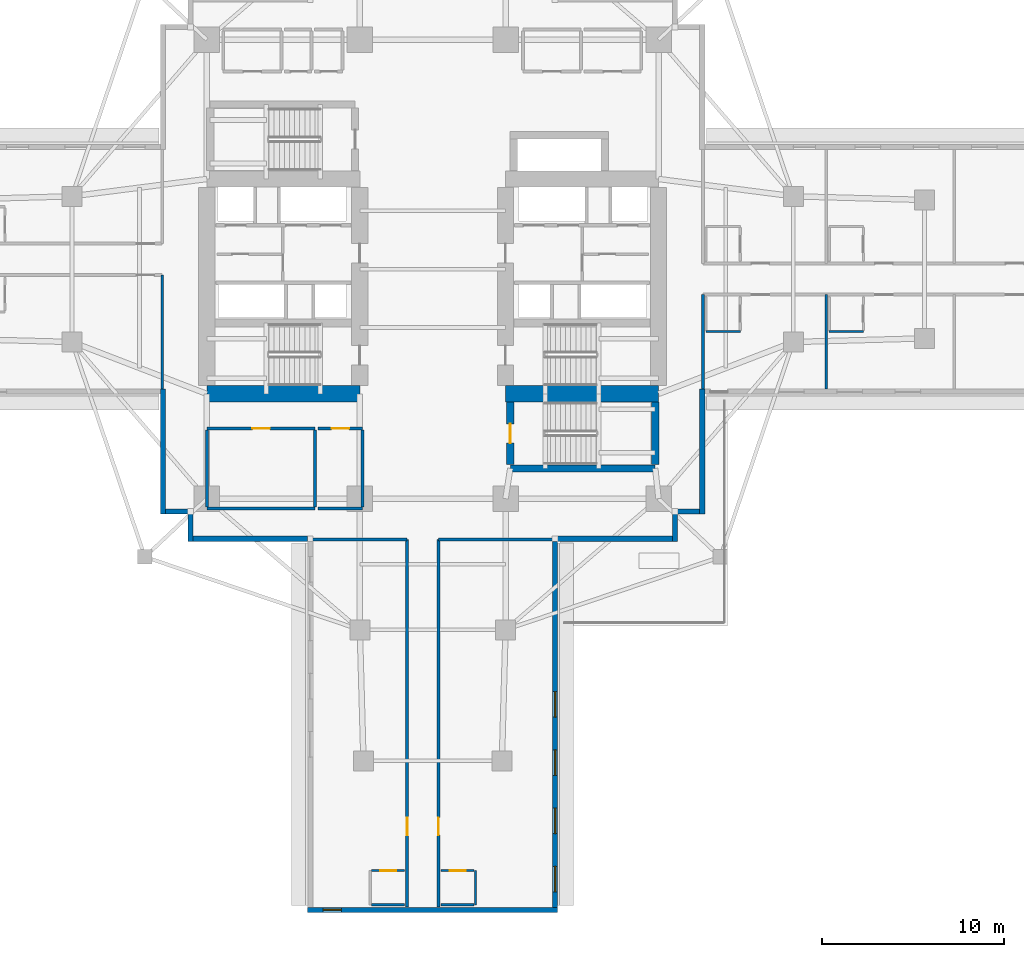
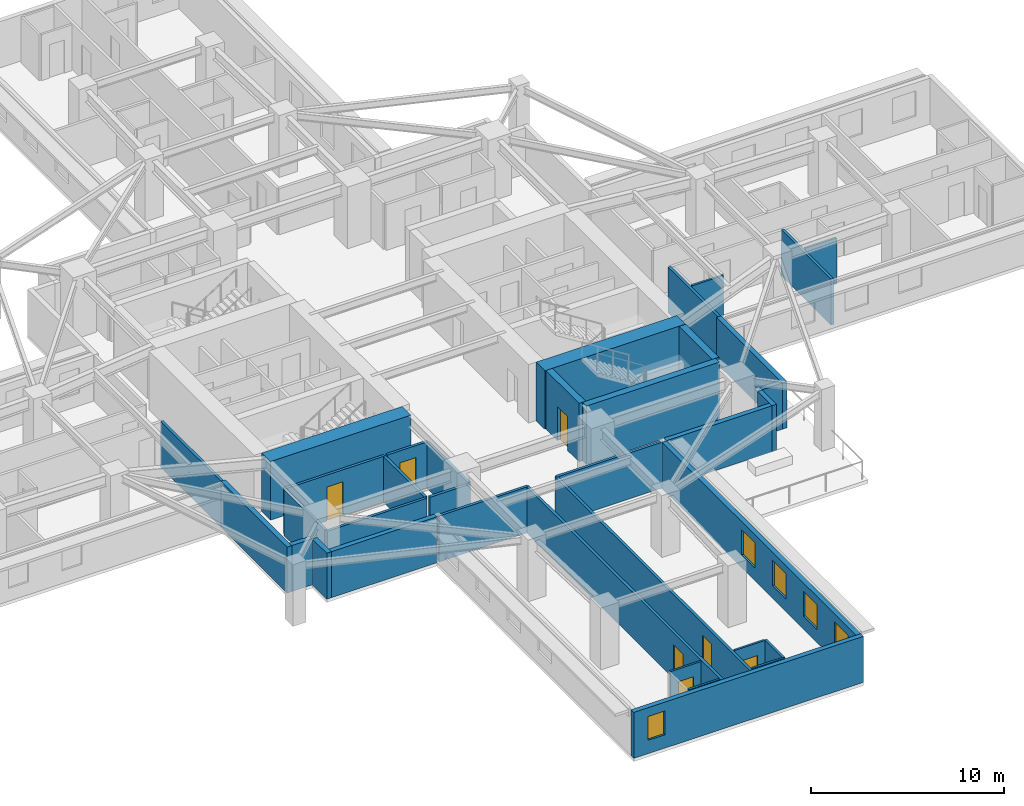
# One storey, part 3 of 13: 36 walls, 7 doors, 5 windows, 12 openings.
"""IFC4 building model written with IfcOpenShell, lengths in metres."""

from ifc_helpers import new_model, si_unit, direction, frame, frame_2d, origin, place, context, subcontext, project, spatial, rectangle, extrude, material, layer, layer_set, type_object, element, fill, save


model = new_model("IFC4")

# Units and contexts
model_context = context("Model", 3, precision=1e-05, world=origin(), true_north=direction((0.0, 1.0)))
body_context = subcontext(model_context, "Body", "Model", "MODEL_VIEW")
ifc_project = project(units=[si_unit("LENGTHUNIT", "METRE"), si_unit("AREAUNIT", "SQUARE_METRE"), si_unit("VOLUMEUNIT", "CUBIC_METRE"), si_unit("PLANEANGLEUNIT", "RADIAN"), si_unit("MASSUNIT", "GRAM", prefix="KILO")], contexts=[model_context])

# Site, building, storey
site_placement = place(None, origin())
site = spatial("IfcSite", under=ifc_project, at=site_placement, CompositionType="ELEMENT")
building_placement = place(site_placement, origin())
building = spatial("IfcBuilding", under=site, at=building_placement, Name="Qingluan Cross Belvedere", CompositionType="ELEMENT")
storey_placement = place(building_placement, frame((0.0, 0.0, 63.89990234375)))
storey = spatial("IfcBuildingStorey", under=building, at=storey_placement, Name="L16", CompositionType="ELEMENT", Elevation=63.89990234375)

# Wall
ifc_material_1 = material(Name="Concrete C50", Category="concrete")
ifc_layer_1 = layer(ifc_material_1, 0.449951171875, Name="CoreShearWall_450")
ifc_layer_set_1 = layer_set([ifc_layer_1], Name="Concrete C50")
wall_type_1 = type_object("IfcWallType", Name="CoreShearWall_450", PredefinedType="SHEAR", material=ifc_layer_set_1)
wall_1_placement = place(storey_placement, frame((4.260009765625, -10.93994140625, 0.0), z_axis=(0.0, 0.0, 1.0), x_axis=(1.0, 0.0, 0.0)))
element("IfcWall", 1, at=wall_1_placement, inside=storey, type_object=wall_type_1, Name="Stair ST4 structural wall S L16", PredefinedType="SHEAR", context=body_context, shape_type="SweptSolid", body=[
    extrude(rectangle(XDim=7.9599609375, YDim=0.39990234375, at=frame_2d((3.97998046875, 0.0))), origin(), (0.0, 0.0, 1.0), 3.7001953125),
])

# Wall, opening, door
wall_2_placement = place(storey_placement, frame((4.260009765625, -10.735107421875, 0.0), z_axis=(0.0, 0.0, 1.0), x_axis=(0.0, 1.0, 0.0)))
wall_2 = element("IfcWall", 2, at=wall_2_placement, inside=storey, type_object=wall_type_1, Name="Stair ST4 structural wall W L16", PredefinedType="SHEAR", context=body_context, shape_type="SweptSolid", body=[
    extrude(rectangle(XDim=3.43017578125, YDim=0.39990234375, at=frame_2d((1.715087890625, 0.0))), origin(), (0.0, 0.0, 1.0), 3.7001953125),
])
opening_1_placement = place(wall_2_placement, frame((1.18505859375, 0.0, 0.0)))
opening_1 = element("IfcOpeningElement", 3, at=opening_1_placement, cuts=wall_2, Name="Opening FD-B11", PredefinedType="OPENING", context=body_context, shape_type="SweptSolid", body=[
    extrude(rectangle(XDim=1.050048828125, YDim=2.14990234375, at=frame_2d((0.52490234375, 1.074951171875))), frame((0.0, 0.2099609375, 0.0), z_axis=(0.0, -1.0, 0.0), x_axis=(1.0, 0.0, 0.0)), (0.0, 0.0, 1.0), 0.419921875),
])
ifc_material_2 = material(Name="Steel Class B smoke-seal fire door", Category="steel")
door_type_1 = type_object("IfcDoorType", Name="StairLobbyFireDoor_FDB", OperationType="NOTDEFINED", PredefinedType="DOOR", material=ifc_material_2)
door_1_placement = place(opening_1_placement, origin())
door_1 = element("IfcDoor", 4, at=door_1_placement, inside=storey, type_object=door_type_1, Name="Smoke-proof stair ST4 fire door L16", OperationType="SINGLE_SWING_LEFT", OverallHeight=2.14990234375, OverallWidth=1.050048828125, PredefinedType="DOOR", context=body_context, shape_type="SweptSolid", body=[
    extrude(rectangle(XDim=1.050048828125, YDim=2.14990234375, at=frame_2d((0.52490234375, 1.074951171875))), frame((0.0, 0.02490234375, 0.0), z_axis=(0.0, -1.0, 0.0), x_axis=(1.0, 0.0, 0.0)), (0.0, 0.0, 1.0), 0.050048828125),
])
fill(opening_1, door_1)

# Walls
wall_3_placement = place(storey_placement, frame((12.219970703125, -10.735107421875, 0.0), z_axis=(0.0, 0.0, 1.0), x_axis=(0.0, 1.0, 0.0)))
element("IfcWall", 5, at=wall_3_placement, inside=storey, type_object=wall_type_1, Name="Stair ST4 structural wall E L16", PredefinedType="SHEAR", context=body_context, shape_type="SweptSolid", body=[
    extrude(rectangle(XDim=3.43017578125, YDim=0.39990234375, at=frame_2d((1.715087890625, 0.0))), origin(), (0.0, 0.0, 1.0), 3.7001953125),
])
ifc_material_3 = material(Name="Concrete C70", Category="concrete")
ifc_layer_2 = layer(ifc_material_3, 0.89990234375, Name="CoreShearWall_900")
ifc_layer_set_2 = layer_set([ifc_layer_2], Name="Concrete C70")
wall_type_2 = type_object("IfcWallType", Name="CoreShearWall_900", PredefinedType="SHEAR", material=ifc_layer_set_2)
for number, where, z_axis, x_axis, name in (
    (6, (-12.39990234375, -6.85009765625, 0.0), (0.0, 0.0, 1.0), (1.0, 0.0, 0.0), "Split core W shear wall L16-S"),
    (7, (4.0, -6.85009765625, 0.0), (0.0, 0.0, 1.0), (1.0, 0.0, 0.0), "Split core E shear wall L16-S"),
):
    element("IfcWall", number, at=place(storey_placement, frame(where, z_axis=z_axis, x_axis=x_axis)), inside=storey, type_object=wall_type_2, Name=name, PredefinedType="SHEAR", context=body_context, shape_type="SweptSolid", body=[
        extrude(rectangle(XDim=8.39990234375, YDim=0.89990234375, at=frame_2d((4.199951171875, 0.0))), origin(), (0.0, 0.0, 1.0), 3.7001953125),
    ])
ifc_material_4 = material(Name="Gypsum plasterboard on steel stud acoustic partition", Category="steel")
ifc_layer_3 = layer(ifc_material_4, 0.159912109375, Name="CorridorPartition_160")
ifc_layer_set_3 = layer_set([ifc_layer_3], Name="Gypsum plasterboard on steel stud acoustic partition")
wall_type_3 = type_object("IfcWallType", Name="CorridorPartition_160", PredefinedType="PARTITIONING", material=ifc_layer_set_3)
wall_4_placement = place(storey_placement, frame((-12.39990234375, -13.14990234375, 0.0), z_axis=(0.0, 0.0, 1.0), x_axis=(1.0, 0.0, 0.0)))
element("IfcWall", 8, at=wall_4_placement, inside=storey, type_object=wall_type_3, Name="Partition L16:q_sw1:S", PredefinedType="PARTITIONING", context=body_context, shape_type="SweptSolid", body=[
    extrude(rectangle(XDim=5.949951171875, YDim=0.159912109375, at=frame_2d((2.97509765625, 0.0))), origin(), (0.0, 0.0, 1.0), 2.900146484375),
])

# Wall, opening, door
wall_5_placement = place(storey_placement, frame((-12.39990234375, -8.75, 0.0), z_axis=(0.0, 0.0, 1.0), x_axis=(1.0, 0.0, 0.0)))
wall_5 = element("IfcWall", 9, at=wall_5_placement, inside=storey, type_object=wall_type_3, Name="Partition L16:q_sw1:N", PredefinedType="PARTITIONING", context=body_context, shape_type="SweptSolid", body=[
    extrude(rectangle(XDim=5.949951171875, YDim=0.159912109375, at=frame_2d((2.97509765625, 0.0))), origin(), (0.0, 0.0, 1.0), 2.900146484375),
])
opening_2_placement = place(wall_5_placement, frame((2.4951171875, 0.0, 0.0)))
opening_2 = element("IfcOpeningElement", 10, at=opening_2_placement, cuts=wall_5, Name="Opening GD-10", PredefinedType="OPENING", context=body_context, shape_type="SweptSolid", body=[
    extrude(rectangle(XDim=0.9599609375, YDim=2.14990234375, at=frame_2d((0.47998046875, 1.074951171875))), frame((0.0, 0.08984375, 0.0), z_axis=(0.0, -1.0, 0.0), x_axis=(1.0, 0.0, 0.0)), (0.0, 0.0, 1.0), 0.179931640625),
])
ifc_material_5 = material(Name="Timber oak fire-rated acoustic guestroom door", Category="wood")
door_type_2 = type_object("IfcDoorType", Name="GuestEntryDoor_FD60", OperationType="NOTDEFINED", PredefinedType="DOOR", material=ifc_material_5)
door_2_placement = place(opening_2_placement, origin())
door_2 = element("IfcDoor", 11, at=door_2_placement, inside=storey, type_object=door_type_2, Name="Library quiet salon L16 door", OperationType="SINGLE_SWING_LEFT", OverallHeight=2.14990234375, OverallWidth=0.9599609375, PredefinedType="DOOR", context=body_context, shape_type="SweptSolid", body=[
    extrude(rectangle(XDim=0.9599609375, YDim=2.14990234375, at=frame_2d((0.47998046875, 1.074951171875))), frame((0.0, 0.02490234375, 0.0), z_axis=(0.0, -1.0, 0.0), x_axis=(1.0, 0.0, 0.0)), (0.0, 0.0, 1.0), 0.050048828125),
])
fill(opening_2, door_2)

# Walls
for number, where, z_axis, x_axis, name in (
    (12, (-12.39990234375, -13.06494140625, 0.0), (0.0, 0.0, 1.0), (0.0, 1.0, 0.0), "Partition L16:q_sw1:W"),
    (13, (-6.449951171875, -13.06494140625, 0.0), (0.0, 0.0, 1.0), (0.0, 1.0, 0.0), "Partition L16:q_sw1:E"),
):
    element("IfcWall", number, at=place(storey_placement, frame(where, z_axis=z_axis, x_axis=x_axis)), inside=storey, type_object=wall_type_3, Name=name, PredefinedType="PARTITIONING", context=body_context, shape_type="SweptSolid", body=[
        extrude(rectangle(XDim=4.22998046875, YDim=0.159912109375, at=frame_2d((2.114990234375, 0.0))), origin(), (0.0, 0.0, 1.0), 2.900146484375),
    ])
wall_6_placement = place(storey_placement, frame((-6.2900390625, -13.14990234375, 0.0), z_axis=(0.0, 0.0, 1.0), x_axis=(1.0, 0.0, 0.0)))
element("IfcWall", 14, at=wall_6_placement, inside=storey, type_object=wall_type_3, Name="Partition L16:q_sw2:S", PredefinedType="PARTITIONING", context=body_context, shape_type="SweptSolid", body=[
    extrude(rectangle(XDim=2.43994140625, YDim=0.159912109375, at=frame_2d((1.219970703125, 0.0))), origin(), (0.0, 0.0, 1.0), 2.900146484375),
])

# Wall, opening, door
wall_7_placement = place(storey_placement, frame((-6.2900390625, -8.75, 0.0), z_axis=(0.0, 0.0, 1.0), x_axis=(1.0, 0.0, 0.0)))
wall_7 = element("IfcWall", 15, at=wall_7_placement, inside=storey, type_object=wall_type_3, Name="Partition L16:q_sw2:N", PredefinedType="PARTITIONING", context=body_context, shape_type="SweptSolid", body=[
    extrude(rectangle(XDim=2.43994140625, YDim=0.159912109375, at=frame_2d((1.219970703125, 0.0))), origin(), (0.0, 0.0, 1.0), 2.900146484375),
])
opening_3_placement = place(wall_7_placement, frame((0.739990234375, 0.0, 0.0)))
opening_3 = element("IfcOpeningElement", 16, at=opening_3_placement, cuts=wall_7, Name="Opening GD-10", PredefinedType="OPENING", context=body_context, shape_type="SweptSolid", body=[
    extrude(rectangle(XDim=0.9599609375, YDim=2.14990234375, at=frame_2d((0.47998046875, 1.074951171875))), frame((0.0, 0.08984375, 0.0), z_axis=(0.0, -1.0, 0.0), x_axis=(1.0, 0.0, 0.0)), (0.0, 0.0, 1.0), 0.179931640625),
])
door_3_placement = place(opening_3_placement, origin())
door_3 = element("IfcDoor", 17, at=door_3_placement, inside=storey, type_object=door_type_2, Name="Southwest reading room L16 door", OperationType="SINGLE_SWING_RIGHT", OverallHeight=2.14990234375, OverallWidth=0.9599609375, PredefinedType="DOOR", context=body_context, shape_type="SweptSolid", body=[
    extrude(rectangle(XDim=0.9599609375, YDim=2.14990234375, at=frame_2d((0.47998046875, 1.074951171875))), frame((0.0, 0.02490234375, 0.0), z_axis=(0.0, -1.0, 0.0), x_axis=(1.0, 0.0, 0.0)), (0.0, 0.0, 1.0), 0.050048828125),
])
fill(opening_3, door_3)

# Walls
wall_8_placement = place(storey_placement, frame((-3.85009765625, -13.06494140625, 0.0), z_axis=(0.0, 0.0, 1.0), x_axis=(0.0, 1.0, 0.0)))
element("IfcWall", 18, at=wall_8_placement, inside=storey, type_object=wall_type_3, Name="Partition L16:q_sw2:E", PredefinedType="PARTITIONING", context=body_context, shape_type="SweptSolid", body=[
    extrude(rectangle(XDim=4.22998046875, YDim=0.159912109375, at=frame_2d((2.114990234375, 0.0))), origin(), (0.0, 0.0, 1.0), 2.900146484375),
])
for number, where, z_axis, x_axis, name in (
    (19, (14.85009765625, -1.39990234375, 0.0), (0.0, 0.0, 1.0), (0.0, -1.0, 0.0), "Partition L16:E:s1"),
    (20, (21.610107421875, -1.39990234375, 0.0), (0.0, 0.0, 1.0), (0.0, -1.0, 0.0), "Partition L16:E:d1_0"),
):
    element("IfcWall", number, at=place(storey_placement, frame(where, z_axis=z_axis, x_axis=x_axis)), inside=storey, type_object=wall_type_3, Name=name, PredefinedType="PARTITIONING", context=body_context, shape_type="SweptSolid", body=[
        extrude(rectangle(XDim=5.172119140625, YDim=0.159912109375, at=frame_2d((2.5859375, 0.0))), origin(), (0.0, 0.0, 1.0), 2.900146484375),
    ])
wall_9_placement = place(storey_placement, frame((-14.85009765625, -0.320068359375, 0.0), z_axis=(0.0, 0.0, 1.0), x_axis=(0.0, -1.0, 0.0)))
element("IfcWall", 21, at=wall_9_placement, inside=storey, type_object=wall_type_3, Name="Partition L16:W:s1", PredefinedType="PARTITIONING", context=body_context, shape_type="SweptSolid", body=[
    extrude(rectangle(XDim=6.251953125, YDim=0.159912109375, at=frame_2d((3.1259765625, 0.0))), origin(), (0.0, 0.0, 1.0), 2.900146484375),
])

# Wall, opening, door
wall_10_placement = place(storey_placement, frame((0.320068359375, -14.85009765625, 0.0), z_axis=(0.0, 0.0, 1.0), x_axis=(0.0, -1.0, 0.0)))
wall_10 = element("IfcWall", 22, at=wall_10_placement, inside=storey, type_object=wall_type_3, Name="Partition L16:S:c0", PredefinedType="PARTITIONING", context=body_context, shape_type="SweptSolid", body=[
    extrude(rectangle(XDim=20.181884765625, YDim=0.159912109375, at=frame_2d((10.0908203125, 0.0))), origin(), (0.0, 0.0, 1.0), 2.900146484375),
])
opening_4_placement = place(wall_10_placement, frame((15.263916015625, 0.0, 0.0)))
opening_4 = element("IfcOpeningElement", 23, at=opening_4_placement, cuts=wall_10, Name="Opening GD-10", PredefinedType="OPENING", context=body_context, shape_type="SweptSolid", body=[
    extrude(rectangle(XDim=0.9599609375, YDim=2.14990234375, at=frame_2d((0.47998046875, 1.074951171875))), frame((0.0, 0.08984375, 0.0), z_axis=(0.0, -1.0, 0.0), x_axis=(1.0, 0.0, 0.0)), (0.0, 0.0, 1.0), 0.179931640625),
])
door_4_placement = place(opening_4_placement, origin())
door_4 = element("IfcDoor", 24, at=door_4_placement, inside=storey, type_object=door_type_2, Name="Guest entry fire door 1615", OperationType="SINGLE_SWING_LEFT", OverallHeight=2.14990234375, OverallWidth=0.9599609375, PredefinedType="DOOR", context=body_context, shape_type="SweptSolid", body=[
    extrude(rectangle(XDim=0.9599609375, YDim=2.14990234375, at=frame_2d((0.47998046875, 1.074951171875))), frame((0.0, 0.02490234375, 0.0), z_axis=(0.0, -1.0, 0.0), x_axis=(1.0, 0.0, 0.0)), (0.0, 0.0, 1.0), 0.050048828125),
])
fill(opening_4, door_4)

# Wall
wall_11_placement = place(storey_placement, frame((0.320068359375, -14.85009765625, 0.0), z_axis=(0.0, 0.0, 1.0), x_axis=(1.0, 0.0, 0.0)))
element("IfcWall", 25, at=wall_11_placement, inside=storey, type_object=wall_type_3, Name="Partition L16:S:s0", PredefinedType="PARTITIONING", context=body_context, shape_type="SweptSolid", body=[
    extrude(rectangle(XDim=6.39990234375, YDim=0.159912109375, at=frame_2d((3.199951171875, 0.0))), origin(), (0.0, 0.0, 1.0), 2.900146484375),
])

# Wall, opening, door
wall_12_placement = place(storey_placement, frame((-1.39990234375, -14.85009765625, 0.0), z_axis=(0.0, 0.0, 1.0), x_axis=(0.0, -1.0, 0.0)))
wall_12 = element("IfcWall", 26, at=wall_12_placement, inside=storey, type_object=wall_type_3, Name="Partition L16:S:c1", PredefinedType="PARTITIONING", context=body_context, shape_type="SweptSolid", body=[
    extrude(rectangle(XDim=20.181884765625, YDim=0.159912109375, at=frame_2d((10.0908203125, 0.0))), origin(), (0.0, 0.0, 1.0), 2.900146484375),
])
opening_5_placement = place(wall_12_placement, frame((15.263916015625, 0.0, 0.0)))
opening_5 = element("IfcOpeningElement", 27, at=opening_5_placement, cuts=wall_12, Name="Opening GD-10", PredefinedType="OPENING", context=body_context, shape_type="SweptSolid", body=[
    extrude(rectangle(XDim=0.9599609375, YDim=2.14990234375, at=frame_2d((0.47998046875, 1.074951171875))), frame((0.0, 0.08984375, 0.0), z_axis=(0.0, -1.0, 0.0), x_axis=(1.0, 0.0, 0.0)), (0.0, 0.0, 1.0), 0.179931640625),
])
door_5_placement = place(opening_5_placement, origin())
door_5 = element("IfcDoor", 28, at=door_5_placement, inside=storey, type_object=door_type_2, Name="Guest entry fire door 1616", OperationType="SINGLE_SWING_LEFT", OverallHeight=2.14990234375, OverallWidth=0.9599609375, PredefinedType="DOOR", context=body_context, shape_type="SweptSolid", body=[
    extrude(rectangle(XDim=0.9599609375, YDim=2.14990234375, at=frame_2d((0.47998046875, 1.074951171875))), frame((0.0, 0.02490234375, 0.0), z_axis=(0.0, -1.0, 0.0), x_axis=(1.0, 0.0, 0.0)), (0.0, 0.0, 1.0), 0.050048828125),
])
fill(opening_5, door_5)

# Walls
wall_13_placement = place(storey_placement, frame((-1.39990234375, -14.85009765625, 0.0), z_axis=(0.0, 0.0, 1.0), x_axis=(-1.0, 0.0, 0.0)))
element("IfcWall", 29, at=wall_13_placement, inside=storey, type_object=wall_type_3, Name="Partition L16:S:s1", PredefinedType="PARTITIONING", context=body_context, shape_type="SweptSolid", body=[
    extrude(rectangle(XDim=5.320068359375, YDim=0.159912109375, at=frame_2d((2.66015625, 0.0))), origin(), (0.0, 0.0, 1.0), 2.900146484375),
])
ifc_material_6 = material(Name="Moisture-resistant gypsum board lining")
ifc_layer_4 = layer(ifc_material_6, 0.1201171875, Name="EnsuiteWetPartition_120")
ifc_layer_set_4 = layer_set([ifc_layer_4], Name="Moisture-resistant gypsum board lining")
wall_type_4 = type_object("IfcWallType", Name="EnsuiteWetPartition_120", PredefinedType="PARTITIONING", material=ifc_layer_set_4)
for number, where, z_axis, x_axis, name in (
    (30, (15.010009765625, -3.425048828125, 0.0), (0.0, 0.0, 1.0), (1.0, 0.0, 0.0), "Partition L16:E:bc1_0"),
    (31, (21.77001953125, -3.425048828125, 0.0), (0.0, 0.0, 1.0), (1.0, 0.0, 0.0), "Partition L16:E:bc1_1"),
):
    element("IfcWall", number, at=place(storey_placement, frame(where, z_axis=z_axis, x_axis=x_axis)), inside=storey, type_object=wall_type_4, Name=name, PredefinedType="PARTITIONING", context=body_context, shape_type="SweptSolid", body=[
        extrude(rectangle(XDim=1.8798828125, YDim=0.1201171875, at=frame_2d((0.93994140625, 0.0))), origin(), (0.0, 0.0, 1.0), 2.900146484375),
    ])

# Wall, opening, door
wall_14_placement = place(storey_placement, frame((0.4599609375, -33.02001953125, 0.0), z_axis=(0.0, 0.0, 1.0), x_axis=(1.0, 0.0, 0.0)))
wall_14 = element("IfcWall", 32, at=wall_14_placement, inside=storey, type_object=wall_type_4, Name="Partition L16:S:bs0_0", PredefinedType="PARTITIONING", context=body_context, shape_type="SweptSolid", body=[
    extrude(rectangle(XDim=1.820068359375, YDim=0.1201171875, at=frame_2d((0.91015625, 0.0))), origin(), (0.0, 0.0, 1.0), 2.900146484375),
])
opening_6_placement = place(wall_14_placement, frame((0.469970703125, 0.0, 0.0)))
opening_6 = element("IfcOpeningElement", 33, at=opening_6_placement, cuts=wall_14, Name="Opening BD-09", PredefinedType="OPENING", context=body_context, shape_type="SweptSolid", body=[
    extrude(rectangle(XDim=0.8798828125, YDim=2.10009765625, at=frame_2d((0.43994140625, 1.050048828125))), frame((0.0, 0.070068359375, 0.0), z_axis=(0.0, -1.0, 0.0), x_axis=(1.0, 0.0, 0.0)), (0.0, 0.0, 1.0), 0.14013671875),
])
ifc_material_7 = material(Name="Moisture-sealed timber en-suite door", Category="wood")
door_type_3 = type_object("IfcDoorType", Name="BathroomDoor_880", OperationType="NOTDEFINED", PredefinedType="DOOR", material=ifc_material_7)
door_6_placement = place(opening_6_placement, origin())
door_6 = element("IfcDoor", 34, at=door_6_placement, inside=storey, type_object=door_type_3, Name="Bathroom door 1615", OperationType="SINGLE_SWING_RIGHT", OverallHeight=2.10009765625, OverallWidth=0.8798828125, PredefinedType="DOOR", context=body_context, shape_type="SweptSolid", body=[
    extrude(rectangle(XDim=0.8798828125, YDim=2.10009765625, at=frame_2d((0.43994140625, 1.050048828125))), frame((0.0, 0.02490234375, 0.0), z_axis=(0.0, -1.0, 0.0), x_axis=(1.0, 0.0, 0.0)), (0.0, 0.0, 1.0), 0.050048828125),
])
fill(opening_6, door_6)

# Walls
wall_15_placement = place(storey_placement, frame((0.4599609375, -34.89990234375, 0.0), z_axis=(0.0, 0.0, 1.0), x_axis=(1.0, 0.0, 0.0)))
element("IfcWall", 35, at=wall_15_placement, inside=storey, type_object=wall_type_4, Name="Partition L16:S:bw0_0", PredefinedType="PARTITIONING", context=body_context, shape_type="SweptSolid", body=[
    extrude(rectangle(XDim=1.820068359375, YDim=0.1201171875, at=frame_2d((0.91015625, 0.0))), origin(), (0.0, 0.0, 1.0), 2.900146484375),
])
wall_16_placement = place(storey_placement, frame((2.344970703125, -33.02001953125, 0.0), z_axis=(0.0, 0.0, 1.0), x_axis=(0.0, -1.0, 0.0)))
element("IfcWall", 36, at=wall_16_placement, inside=storey, type_object=wall_type_4, Name="Partition L16:S:bn0_0", PredefinedType="PARTITIONING", context=body_context, shape_type="SweptSolid", body=[
    extrude(rectangle(XDim=1.8798828125, YDim=0.1201171875, at=frame_2d((0.93994140625, 0.0))), origin(), (0.0, 0.0, 1.0), 2.900146484375),
])

# Wall, opening, door
wall_17_placement = place(storey_placement, frame((-3.360107421875, -33.02001953125, 0.0), z_axis=(0.0, 0.0, 1.0), x_axis=(1.0, 0.0, 0.0)))
wall_17 = element("IfcWall", 37, at=wall_17_placement, inside=storey, type_object=wall_type_4, Name="Partition L16:S:bs1_0", PredefinedType="PARTITIONING", context=body_context, shape_type="SweptSolid", body=[
    extrude(rectangle(XDim=1.820068359375, YDim=0.1201171875, at=frame_2d((0.91015625, 0.0))), origin(), (0.0, 0.0, 1.0), 2.900146484375),
])
opening_7_placement = place(wall_17_placement, frame((0.469970703125, 0.0, 0.0)))
opening_7 = element("IfcOpeningElement", 38, at=opening_7_placement, cuts=wall_17, Name="Opening BD-09", PredefinedType="OPENING", context=body_context, shape_type="SweptSolid", body=[
    extrude(rectangle(XDim=0.8798828125, YDim=2.10009765625, at=frame_2d((0.43994140625, 1.050048828125))), frame((0.0, 0.070068359375, 0.0), z_axis=(0.0, -1.0, 0.0), x_axis=(1.0, 0.0, 0.0)), (0.0, 0.0, 1.0), 0.14013671875),
])
door_7_placement = place(opening_7_placement, origin())
door_7 = element("IfcDoor", 39, at=door_7_placement, inside=storey, type_object=door_type_3, Name="Bathroom door 1616", OperationType="SINGLE_SWING_RIGHT", OverallHeight=2.10009765625, OverallWidth=0.8798828125, PredefinedType="DOOR", context=body_context, shape_type="SweptSolid", body=[
    extrude(rectangle(XDim=0.8798828125, YDim=2.10009765625, at=frame_2d((0.43994140625, 1.050048828125))), frame((0.0, 0.02490234375, 0.0), z_axis=(0.0, -1.0, 0.0), x_axis=(1.0, 0.0, 0.0)), (0.0, 0.0, 1.0), 0.050048828125),
])
fill(opening_7, door_7)

# Wall
wall_18_placement = place(storey_placement, frame((-3.360107421875, -34.89990234375, 0.0), z_axis=(0.0, 0.0, 1.0), x_axis=(1.0, 0.0, 0.0)))
element("IfcWall", 40, at=wall_18_placement, inside=storey, type_object=wall_type_4, Name="Partition L16:S:bw1_0", PredefinedType="PARTITIONING", context=body_context, shape_type="SweptSolid", body=[
    extrude(rectangle(XDim=1.820068359375, YDim=0.1201171875, at=frame_2d((0.91015625, 0.0))), origin(), (0.0, 0.0, 1.0), 2.900146484375),
])

# Wall, openings, windows
ifc_material_8 = material(Name="Precast concrete C45", Category="concrete")
ifc_layer_5 = layer(ifc_material_8, 0.280029296875, Name="PrecastFacadeWall_280")
ifc_layer_set_5 = layer_set([ifc_layer_5], Name="Precast concrete C45")
wall_type_5 = type_object("IfcWallType", Name="PrecastFacadeWall_280", PredefinedType="STANDARD", material=ifc_layer_set_5)
wall_19_placement = place(storey_placement, frame((6.719970703125, -35.0400390625, 0.0), z_axis=(0.0, 0.0, 1.0), x_axis=(0.0, 1.0, 0.0)))
wall_19 = element("IfcWall", 41, at=wall_19_placement, inside=storey, type_object=wall_type_5, Name="Facade wall L16-SB", PredefinedType="STANDARD", context=body_context, shape_type="SweptSolid", body=[
    extrude(rectangle(XDim=20.10009765625, YDim=0.280029296875, at=frame_2d((10.050048828125, 0.0))), origin(), (0.0, 0.0, 1.0), 2.91015625),
])
opening_8_placement = place(wall_19_placement, frame((0.85009765625, 0.0, 0.800048828125)))
opening_8 = element("IfcOpeningElement", 42, at=opening_8_placement, cuts=wall_19, Name="Opening W-01", PredefinedType="OPENING", context=body_context, shape_type="SweptSolid", body=[
    extrude(rectangle(XDim=1.39990234375, YDim=1.60009765625, at=frame_2d((0.699951171875, 0.800048828125))), frame((0.0, 0.14990234375, 0.0), z_axis=(0.0, -1.0, 0.0), x_axis=(1.0, 0.0, 0.0)), (0.0, 0.0, 1.0), 0.300048828125),
])
opening_9_placement = place(wall_19_placement, frame((4.050048828125, 0.0, 0.800048828125)))
opening_9 = element("IfcOpeningElement", 43, at=opening_9_placement, cuts=wall_19, Name="Opening W-01", PredefinedType="OPENING", context=body_context, shape_type="SweptSolid", body=[
    extrude(rectangle(XDim=1.39990234375, YDim=1.60009765625, at=frame_2d((0.699951171875, 0.800048828125))), frame((0.0, 0.14990234375, 0.0), z_axis=(0.0, -1.0, 0.0), x_axis=(1.0, 0.0, 0.0)), (0.0, 0.0, 1.0), 0.300048828125),
])
opening_10_placement = place(wall_19_placement, frame((7.25, 0.0, 0.800048828125)))
opening_10 = element("IfcOpeningElement", 44, at=opening_10_placement, cuts=wall_19, Name="Opening W-01", PredefinedType="OPENING", context=body_context, shape_type="SweptSolid", body=[
    extrude(rectangle(XDim=1.39990234375, YDim=1.60009765625, at=frame_2d((0.699951171875, 0.800048828125))), frame((0.0, 0.14990234375, 0.0), z_axis=(0.0, -1.0, 0.0), x_axis=(1.0, 0.0, 0.0)), (0.0, 0.0, 1.0), 0.300048828125),
])
opening_11_placement = place(wall_19_placement, frame((10.449951171875, 0.0, 0.800048828125)))
opening_11 = element("IfcOpeningElement", 45, at=opening_11_placement, cuts=wall_19, Name="Opening W-01", PredefinedType="OPENING", context=body_context, shape_type="SweptSolid", body=[
    extrude(rectangle(XDim=1.39990234375, YDim=1.60009765625, at=frame_2d((0.699951171875, 0.800048828125))), frame((0.0, 0.14990234375, 0.0), z_axis=(0.0, -1.0, 0.0), x_axis=(1.0, 0.0, 0.0)), (0.0, 0.0, 1.0), 0.300048828125),
])
ifc_material_9 = material(Name="Thermally broken triple Low-E glass in aluminium frame", Category="aluminium")
window_type_1 = type_object("IfcWindowType", Name="TriRibbonWin_1400x1600", PartitioningType="SINGLE_PANEL", PredefinedType="WINDOW", material=ifc_material_9)
window_1_placement = place(opening_8_placement, origin())
window_1 = element("IfcWindow", 46, at=window_1_placement, inside=storey, type_object=window_type_1, Name="Ribbon window L16-SB-1", OverallHeight=1.60009765625, OverallWidth=1.39990234375, PartitioningType="SINGLE_PANEL", PredefinedType="WINDOW", context=body_context, shape_type="SweptSolid", body=[
    extrude(rectangle(XDim=1.39990234375, YDim=1.60009765625, at=frame_2d((0.699951171875, 0.800048828125))), frame((0.0, 0.030029296875, 0.0), z_axis=(0.0, -1.0, 0.0), x_axis=(1.0, 0.0, 0.0)), (0.0, 0.0, 1.0), 0.06005859375),
])
fill(opening_8, window_1)
window_2_placement = place(opening_9_placement, origin())
window_2 = element("IfcWindow", 47, at=window_2_placement, inside=storey, type_object=window_type_1, Name="Ribbon window L16-SB-2", OverallHeight=1.60009765625, OverallWidth=1.39990234375, PartitioningType="SINGLE_PANEL", PredefinedType="WINDOW", context=body_context, shape_type="SweptSolid", body=[
    extrude(rectangle(XDim=1.39990234375, YDim=1.60009765625, at=frame_2d((0.699951171875, 0.800048828125))), frame((0.0, 0.030029296875, 0.0), z_axis=(0.0, -1.0, 0.0), x_axis=(1.0, 0.0, 0.0)), (0.0, 0.0, 1.0), 0.06005859375),
])
fill(opening_9, window_2)
window_3_placement = place(opening_10_placement, origin())
window_3 = element("IfcWindow", 48, at=window_3_placement, inside=storey, type_object=window_type_1, Name="Ribbon window L16-SB-3", OverallHeight=1.60009765625, OverallWidth=1.39990234375, PartitioningType="SINGLE_PANEL", PredefinedType="WINDOW", context=body_context, shape_type="SweptSolid", body=[
    extrude(rectangle(XDim=1.39990234375, YDim=1.60009765625, at=frame_2d((0.699951171875, 0.800048828125))), frame((0.0, 0.030029296875, 0.0), z_axis=(0.0, -1.0, 0.0), x_axis=(1.0, 0.0, 0.0)), (0.0, 0.0, 1.0), 0.06005859375),
])
fill(opening_10, window_3)
window_4_placement = place(opening_11_placement, origin())
window_4 = element("IfcWindow", 49, at=window_4_placement, inside=storey, type_object=window_type_1, Name="Ribbon window L16-SB-4", OverallHeight=1.60009765625, OverallWidth=1.39990234375, PartitioningType="SINGLE_PANEL", PredefinedType="WINDOW", context=body_context, shape_type="SweptSolid", body=[
    extrude(rectangle(XDim=1.39990234375, YDim=1.60009765625, at=frame_2d((0.699951171875, 0.800048828125))), frame((0.0, 0.030029296875, 0.0), z_axis=(0.0, -1.0, 0.0), x_axis=(1.0, 0.0, 0.0)), (0.0, 0.0, 1.0), 0.06005859375),
])
fill(opening_11, window_4)

# Wall, opening, window
wall_20_placement = place(storey_placement, frame((-6.860107421875, -35.179931640625, 0.0), z_axis=(0.0, 0.0, 1.0), x_axis=(1.0, 0.0, 0.0)))
wall_20 = element("IfcWall", 50, at=wall_20_placement, inside=storey, type_object=wall_type_5, Name="Arm tip precast facade wall L16-S", PredefinedType="STANDARD", context=body_context, shape_type="SweptSolid", body=[
    extrude(rectangle(XDim=13.72021484375, YDim=0.280029296875, at=frame_2d((6.860107421875, 0.0))), origin(), (0.0, 0.0, 1.0), 2.91015625),
])
opening_12_placement = place(wall_20_placement, frame((0.85009765625, 0.0, 0.85009765625)))
opening_12 = element("IfcOpeningElement", 51, at=opening_12_placement, cuts=wall_20, Name="Opening W-03", PredefinedType="OPENING", context=body_context, shape_type="SweptSolid", body=[
    extrude(rectangle(XDim=1.0, YDim=1.5, at=frame_2d((0.5, 0.75))), frame((0.0, 0.14990234375, 0.0), z_axis=(0.0, -1.0, 0.0), x_axis=(1.0, 0.0, 0.0)), (0.0, 0.0, 1.0), 0.300048828125),
])
ifc_material_10 = material(Name="Thermally broken triple Low-E glass in aluminium frame", Category="aluminium")
window_type_2 = type_object("IfcWindowType", Name="TriApexWin_1000x1500", PartitioningType="SINGLE_PANEL", PredefinedType="WINDOW", material=ifc_material_10)
window_5_placement = place(opening_12_placement, origin())
window_5 = element("IfcWindow", 52, at=window_5_placement, inside=storey, type_object=window_type_2, Name="Arm tip triangular window L16-S", OverallHeight=1.5, OverallWidth=1.0, PartitioningType="SINGLE_PANEL", PredefinedType="WINDOW", context=body_context, shape_type="SweptSolid", body=[
    extrude(rectangle(XDim=1.0, YDim=1.5, at=frame_2d((0.5, 0.75))), frame((0.0, 0.030029296875, 0.0), z_axis=(0.0, -1.0, 0.0), x_axis=(1.0, 0.0, 0.0)), (0.0, 0.0, 1.0), 0.06005859375),
])
fill(opening_12, window_5)

# Walls
wall_21_placement = place(storey_placement, frame((-14.800048828125, -6.580078125, 0.0), z_axis=(0.0, 0.0, 1.0), x_axis=(0.0, -1.0, 0.0)))
element("IfcWall", 53, at=wall_21_placement, inside=storey, type_object=wall_type_5, Name="Corner wall L16-SW1", PredefinedType="STANDARD", context=body_context, shape_type="SweptSolid", body=[
    extrude(rectangle(XDim=6.85986328125, YDim=0.280029296875, at=frame_2d((3.429931640625, 0.0))), origin(), (0.0, 0.0, 1.0), 2.91015625),
])
wall_22_placement = place(storey_placement, frame((-14.659912109375, -13.300048828125, 0.0), z_axis=(0.0, 0.0, 1.0), x_axis=(1.0, 0.0, 0.0)))
element("IfcWall", 54, at=wall_22_placement, inside=storey, type_object=wall_type_5, Name="Corner wall L16-SW2", PredefinedType="STANDARD", context=body_context, shape_type="SweptSolid", body=[
    extrude(rectangle(XDim=1.219970703125, YDim=0.280029296875, at=frame_2d((0.60986328125, 0.0))), origin(), (0.0, 0.0, 1.0), 2.91015625),
])
wall_23_placement = place(storey_placement, frame((-13.300048828125, -13.43994140625, 0.0), z_axis=(0.0, 0.0, 1.0), x_axis=(0.0, -1.0, 0.0)))
element("IfcWall", 55, at=wall_23_placement, inside=storey, type_object=wall_type_5, Name="Corner wall L16-SW3", PredefinedType="STANDARD", context=body_context, shape_type="SweptSolid", body=[
    extrude(rectangle(XDim=1.5, YDim=0.280029296875, at=frame_2d((0.75, 0.0))), origin(), (0.0, 0.0, 1.0), 2.91015625),
])
wall_24_placement = place(storey_placement, frame((-13.159912109375, -14.800048828125, 0.0), z_axis=(0.0, 0.0, 1.0), x_axis=(1.0, 0.0, 0.0)))
element("IfcWall", 56, at=wall_24_placement, inside=storey, type_object=wall_type_5, Name="Corner wall L16-SW4", PredefinedType="STANDARD", context=body_context, shape_type="SweptSolid", body=[
    extrude(rectangle(XDim=6.2998046875, YDim=0.280029296875, at=frame_2d((3.14990234375, 0.0))), origin(), (0.0, 0.0, 1.0), 2.91015625),
])
wall_25_placement = place(storey_placement, frame((14.800048828125, -6.580078125, 0.0), z_axis=(0.0, 0.0, 1.0), x_axis=(0.0, -1.0, 0.0)))
element("IfcWall", 57, at=wall_25_placement, inside=storey, type_object=wall_type_5, Name="Corner wall L16-SE1", PredefinedType="STANDARD", context=body_context, shape_type="SweptSolid", body=[
    extrude(rectangle(XDim=6.85986328125, YDim=0.280029296875, at=frame_2d((3.429931640625, 0.0))), origin(), (0.0, 0.0, 1.0), 2.91015625),
])
wall_26_placement = place(storey_placement, frame((14.659912109375, -13.300048828125, 0.0), z_axis=(0.0, 0.0, 1.0), x_axis=(-1.0, 0.0, 0.0)))
element("IfcWall", 58, at=wall_26_placement, inside=storey, type_object=wall_type_5, Name="Corner wall L16-SE2", PredefinedType="STANDARD", context=body_context, shape_type="SweptSolid", body=[
    extrude(rectangle(XDim=1.219970703125, YDim=0.280029296875, at=frame_2d((0.60986328125, 0.0))), origin(), (0.0, 0.0, 1.0), 2.91015625),
])
wall_27_placement = place(storey_placement, frame((13.300048828125, -13.43994140625, 0.0), z_axis=(0.0, 0.0, 1.0), x_axis=(0.0, -1.0, 0.0)))
element("IfcWall", 59, at=wall_27_placement, inside=storey, type_object=wall_type_5, Name="Corner wall L16-SE3", PredefinedType="STANDARD", context=body_context, shape_type="SweptSolid", body=[
    extrude(rectangle(XDim=1.5, YDim=0.280029296875, at=frame_2d((0.75, 0.0))), origin(), (0.0, 0.0, 1.0), 2.91015625),
])
wall_28_placement = place(storey_placement, frame((13.159912109375, -14.800048828125, 0.0), z_axis=(0.0, 0.0, 1.0), x_axis=(-1.0, 0.0, 0.0)))
element("IfcWall", 60, at=wall_28_placement, inside=storey, type_object=wall_type_5, Name="Corner wall L16-SE4", PredefinedType="STANDARD", context=body_context, shape_type="SweptSolid", body=[
    extrude(rectangle(XDim=6.2998046875, YDim=0.280029296875, at=frame_2d((3.14990234375, 0.0))), origin(), (0.0, 0.0, 1.0), 2.91015625),
])

save(model, "model.ifc")
